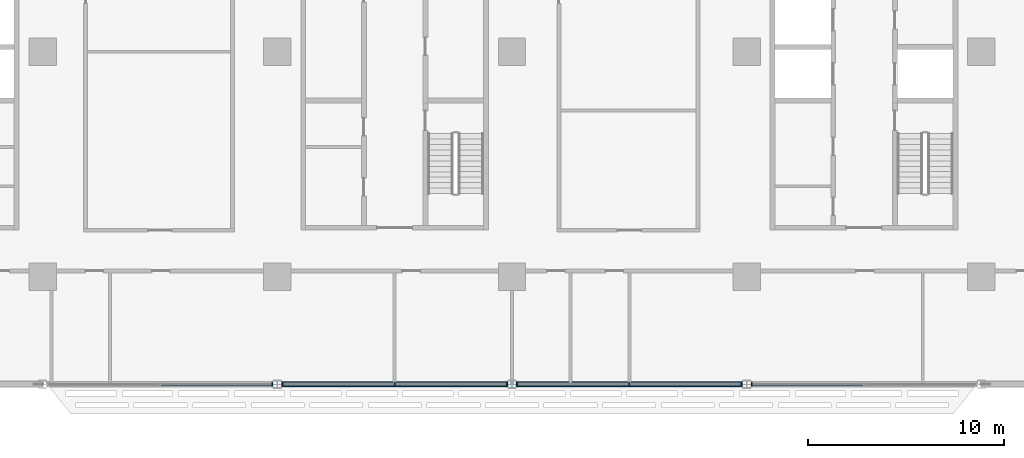
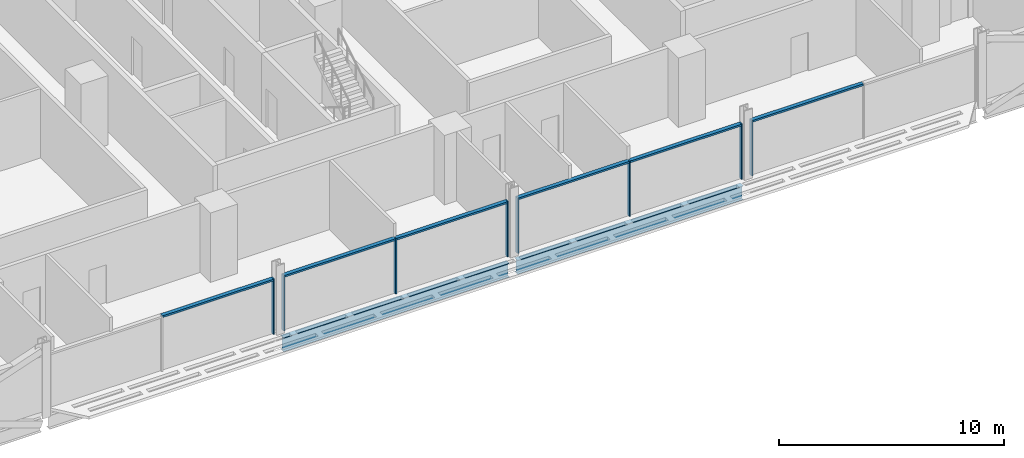
# One storey, part 5 of 29: 14 members, 2 beams, 4 elements without a shape of their own.
"""IFC4 building model written with IfcOpenShell, lengths in metres."""

from ifc_helpers import new_model, si_unit, direction, frame, origin, origin_2d, place, context, subcontext, project, spatial, rectangle, i_section, extrude, material, material_profile, profile_set, type_object, element, aggregate, save


model = new_model("IFC4")

# Units and contexts
model_context = context("Model", 3, precision=1e-05, world=origin(), true_north=direction((0.0, 1.0)))
body_context = subcontext(model_context, "Body", "Model", "MODEL_VIEW")
ifc_project = project(units=[si_unit("LENGTHUNIT", "METRE"), si_unit("AREAUNIT", "SQUARE_METRE"), si_unit("VOLUMEUNIT", "CUBIC_METRE"), si_unit("PLANEANGLEUNIT", "RADIAN"), si_unit("MASSUNIT", "GRAM", prefix="KILO")], contexts=[model_context])

# Site, building, storey
site_placement = place(None, origin())
site = spatial("IfcSite", under=ifc_project, at=site_placement, CompositionType="ELEMENT")
building_placement = place(site_placement, origin())
building = spatial("IfcBuilding", under=site, at=building_placement, Name="Mahtab Terrace Research Tower", CompositionType="ELEMENT")
storey_placement = place(building_placement, frame((0.0, 0.0, 105.300048828125)))
storey = spatial("IfcBuildingStorey", under=building, at=storey_placement, Name="L24", CompositionType="ELEMENT", Elevation=105.300048828125)

# Curtain wall, member
ifc_material_1 = material(Name="Laboratory ribbon curtain wall")
curtain_wall_type = type_object("IfcCurtainWallType", Name="Laboratory ribbon curtain wall", PredefinedType="NOTDEFINED", material=ifc_material_1)
curtain_wall_1_placement = place(storey_placement, origin())
curtain_wall_1 = element("IfcCurtainWall", 1, at=curtain_wall_1_placement, inside=storey, type_object=curtain_wall_type, Name="EN.L24.13.25", PredefinedType="NOTDEFINED")
ifc_material_2 = material(Name="Natural anodised aluminium", Category="aluminium")
ifc_material_profile_1 = material_profile(ifc_material_2, rectangle(XDim=0.199951171875, YDim=0.06494140625, at=origin_2d()), Name="MULLION 65x200")
ifc_profile_set_1 = profile_set([ifc_material_profile_1], Name="Natural anodised aluminium")
member_type_1 = type_object("IfcMemberType", Name="Laboratory ribbon curtain wall mullion", PredefinedType="MULLION", material=ifc_profile_set_1)
member_1_placement = place(storey_placement, frame((-6.260498046875, -17.0, 0.0), z_axis=(0.0, 0.0, 1.0), x_axis=(0.0, 1.0, 0.0)))
member_1 = element("IfcMember", 2, at=member_1_placement, type_object=member_type_1, Name="CWL-3 mullion 3", PredefinedType="MULLION", context=body_context, shape_type="SweptSolid", body=[
    extrude(rectangle(XDim=0.199951171875, YDim=0.06494140625, at=origin_2d()), origin(), (0.0, 0.0, 1.0), 3.0029296875),
])

# Curtain wall, members
curtain_wall_2_placement = place(storey_placement, origin())
curtain_wall_2 = element("IfcCurtainWall", 3, at=curtain_wall_2_placement, inside=storey, type_object=curtain_wall_type, Name="EN.L24.13.26", PredefinedType="NOTDEFINED")
member_2_placement = place(storey_placement, frame((-5.739501953125, -17.0, 0.0), z_axis=(0.0, 0.0, 1.0), x_axis=(0.0, 1.0, 0.0)))
member_2 = element("IfcMember", 4, at=member_2_placement, type_object=member_type_1, Name="CWL-3 mullion 1", PredefinedType="MULLION", context=body_context, shape_type="SweptSolid", body=[
    extrude(rectangle(XDim=0.199951171875, YDim=0.06494140625, at=origin_2d()), origin(), (0.0, 0.0, 1.0), 3.0029296875),
])
member_3_placement = place(storey_placement, frame((0.0, -17.0, 0.0), z_axis=(0.0, 0.0, 1.0), x_axis=(0.0, 1.0, 0.0)))
member_3 = element("IfcMember", 5, at=member_3_placement, type_object=member_type_1, Name="CWL-3 mullion 2", PredefinedType="MULLION", context=body_context, shape_type="SweptSolid", body=[
    extrude(rectangle(XDim=0.199951171875, YDim=0.06494140625, at=origin_2d()), origin(), (0.0, 0.0, 1.0), 3.0029296875),
])
member_4_placement = place(storey_placement, frame((5.739501953125, -17.0, 0.0), z_axis=(0.0, 0.0, 1.0), x_axis=(0.0, 1.0, 0.0)))
member_4 = element("IfcMember", 6, at=member_4_placement, type_object=member_type_1, Name="CWL-3 mullion 3", PredefinedType="MULLION", context=body_context, shape_type="SweptSolid", body=[
    extrude(rectangle(XDim=0.199951171875, YDim=0.06494140625, at=origin_2d()), origin(), (0.0, 0.0, 1.0), 3.0029296875),
])

curtain_wall_3_placement = place(storey_placement, origin())
curtain_wall_3 = element("IfcCurtainWall", 7, at=curtain_wall_3_placement, inside=storey, type_object=curtain_wall_type, Name="EN.L24.13.27", PredefinedType="NOTDEFINED")
member_5_placement = place(storey_placement, frame((6.260498046875, -17.0, 0.0), z_axis=(0.0, 0.0, 1.0), x_axis=(0.0, 1.0, 0.0)))
member_5 = element("IfcMember", 8, at=member_5_placement, type_object=member_type_1, Name="CWL-3 mullion 1", PredefinedType="MULLION", context=body_context, shape_type="SweptSolid", body=[
    extrude(rectangle(XDim=0.199951171875, YDim=0.06494140625, at=origin_2d()), origin(), (0.0, 0.0, 1.0), 3.0029296875),
])
member_6_placement = place(storey_placement, frame((12.0, -17.0, 0.0), z_axis=(0.0, 0.0, 1.0), x_axis=(0.0, 1.0, 0.0)))
member_6 = element("IfcMember", 9, at=member_6_placement, type_object=member_type_1, Name="CWL-3 mullion 2", PredefinedType="MULLION", context=body_context, shape_type="SweptSolid", body=[
    extrude(rectangle(XDim=0.199951171875, YDim=0.06494140625, at=origin_2d()), origin(), (0.0, 0.0, 1.0), 3.0029296875),
])
member_7_placement = place(storey_placement, frame((17.739501953125, -17.0, 0.0), z_axis=(0.0, 0.0, 1.0), x_axis=(0.0, 1.0, 0.0)))
member_7 = element("IfcMember", 10, at=member_7_placement, type_object=member_type_1, Name="CWL-3 mullion 3", PredefinedType="MULLION", context=body_context, shape_type="SweptSolid", body=[
    extrude(rectangle(XDim=0.199951171875, YDim=0.06494140625, at=origin_2d()), origin(), (0.0, 0.0, 1.0), 3.0029296875),
])

# Curtain wall, member
curtain_wall_4_placement = place(storey_placement, origin())
curtain_wall_4 = element("IfcCurtainWall", 11, at=curtain_wall_4_placement, inside=storey, type_object=curtain_wall_type, Name="EN.L24.13.28", PredefinedType="NOTDEFINED")
member_8_placement = place(storey_placement, frame((18.260498046875, -17.0, 0.0), z_axis=(0.0, 0.0, 1.0), x_axis=(0.0, 1.0, 0.0)))
member_8 = element("IfcMember", 12, at=member_8_placement, type_object=member_type_1, Name="CWL-3 mullion 1", PredefinedType="MULLION", context=body_context, shape_type="SweptSolid", body=[
    extrude(rectangle(XDim=0.199951171875, YDim=0.06494140625, at=origin_2d()), origin(), (0.0, 0.0, 1.0), 3.0029296875),
])

# Member
ifc_material_profile_2 = material_profile(ifc_material_2, rectangle(XDim=0.199951171875, YDim=0.10009765625, at=origin_2d()), Name="TRANSOM 100x200")
ifc_profile_set_2 = profile_set([ifc_material_profile_2], Name="Natural anodised aluminium")
member_type_2 = type_object("IfcMemberType", Name="Laboratory ribbon curtain wall transom", PredefinedType="USERDEFINED", material=ifc_profile_set_2)
member_9_placement = place(storey_placement, frame((-11.967529296875, -17.0, 2.953125), z_axis=(1.0, 0.0, 0.0), x_axis=(0.0, 1.0, 0.0)))
member_9 = element("IfcMember", 13, at=member_9_placement, type_object=member_type_2, Name="CWL-3 transom 2", ObjectType="TRANSOM", PredefinedType="USERDEFINED", context=body_context, shape_type="SweptSolid", body=[
    extrude(rectangle(XDim=0.199951171875, YDim=0.10009765625, at=origin_2d()), origin(), (0.0, 0.0, 1.0), 5.674560546875),
])

aggregate(curtain_wall_1, [member_1, member_9])

member_10_placement = place(storey_placement, frame((-5.70703125, -17.0, 2.953125), z_axis=(1.0, 0.0, 0.0), x_axis=(0.0, 1.0, 0.0)))
member_10 = element("IfcMember", 14, at=member_10_placement, type_object=member_type_2, Name="CWL-3 transom 1", ObjectType="TRANSOM", PredefinedType="USERDEFINED", context=body_context, shape_type="SweptSolid", body=[
    extrude(rectangle(XDim=0.199951171875, YDim=0.10009765625, at=origin_2d()), origin(), (0.0, 0.0, 1.0), 5.674560546875),
])

member_11_placement = place(storey_placement, frame((0.032470703125, -17.0, 2.953125), z_axis=(1.0, 0.0, 0.0), x_axis=(0.0, 1.0, 0.0)))
member_11 = element("IfcMember", 15, at=member_11_placement, type_object=member_type_2, Name="CWL-3 transom 2", ObjectType="TRANSOM", PredefinedType="USERDEFINED", context=body_context, shape_type="SweptSolid", body=[
    extrude(rectangle(XDim=0.199951171875, YDim=0.10009765625, at=origin_2d()), origin(), (0.0, 0.0, 1.0), 5.674560546875),
])

aggregate(curtain_wall_2, [member_2, member_3, member_4, member_10, member_11])

member_12_placement = place(storey_placement, frame((6.29296875, -17.0, 2.953125), z_axis=(1.0, 0.0, 0.0), x_axis=(0.0, 1.0, 0.0)))
member_12 = element("IfcMember", 16, at=member_12_placement, type_object=member_type_2, Name="CWL-3 transom 1", ObjectType="TRANSOM", PredefinedType="USERDEFINED", context=body_context, shape_type="SweptSolid", body=[
    extrude(rectangle(XDim=0.199951171875, YDim=0.10009765625, at=origin_2d()), origin(), (0.0, 0.0, 1.0), 5.674560546875),
])

member_13_placement = place(storey_placement, frame((12.032470703125, -17.0, 2.953125), z_axis=(1.0, 0.0, 0.0), x_axis=(0.0, 1.0, 0.0)))
member_13 = element("IfcMember", 17, at=member_13_placement, type_object=member_type_2, Name="CWL-3 transom 2", ObjectType="TRANSOM", PredefinedType="USERDEFINED", context=body_context, shape_type="SweptSolid", body=[
    extrude(rectangle(XDim=0.199951171875, YDim=0.10009765625, at=origin_2d()), origin(), (0.0, 0.0, 1.0), 5.674560546875),
])

aggregate(curtain_wall_3, [member_5, member_6, member_7, member_12, member_13])

member_14_placement = place(storey_placement, frame((18.29296875, -17.0, 2.953125), z_axis=(1.0, 0.0, 0.0), x_axis=(0.0, 1.0, 0.0)))
member_14 = element("IfcMember", 18, at=member_14_placement, type_object=member_type_2, Name="CWL-3 transom 1", ObjectType="TRANSOM", PredefinedType="USERDEFINED", context=body_context, shape_type="SweptSolid", body=[
    extrude(rectangle(XDim=0.199951171875, YDim=0.10009765625, at=origin_2d()), origin(), (0.0, 0.0, 1.0), 5.674560546875),
])

aggregate(curtain_wall_4, [member_8, member_14])

# Beams
ifc_material_3 = material(Name="Steel ASTM A992 Gr 50", Category="steel")
ifc_material_profile_3 = material_profile(ifc_material_3, i_section(OverallWidth=0.2666015625, OverallDepth=0.7568359375, WebThickness=0.013916015625, FlangeThickness=0.019287109375, at=origin_2d()), Name="W30X108")
ifc_profile_set_3 = profile_set([ifc_material_profile_3], Name="Steel ASTM A992 Gr 50")
beam_type = type_object("IfcBeamType", Name="W30x108 beam BS30108", PredefinedType="BEAM", material=ifc_profile_set_3)
for number, where, z_axis, x_axis, name in (
    (19, (-5.79052734375, -17.0, -0.718505859375), (1.0, 0.0, 0.0), (0.0, 1.0, 0.0), "Spandrel beam L24 15"),
    (20, (6.20947265625, -17.0, -0.718505859375), (1.0, 0.0, 0.0), (0.0, 1.0, 0.0), "Spandrel beam L24 16"),
):
    element("IfcBeam", number, at=place(storey_placement, frame(where, z_axis=z_axis, x_axis=x_axis)), inside=storey, type_object=beam_type, Name=name, PredefinedType="BEAM", context=body_context, shape_type="SweptSolid", body=[
        extrude(i_section(OverallWidth=0.2666015625, OverallDepth=0.7568359375, WebThickness=0.013916015625, FlangeThickness=0.019287109375, at=origin_2d()), origin(), (0.0, 0.0, 1.0), 11.5810546875),
    ])

save(model, "model.ifc")
